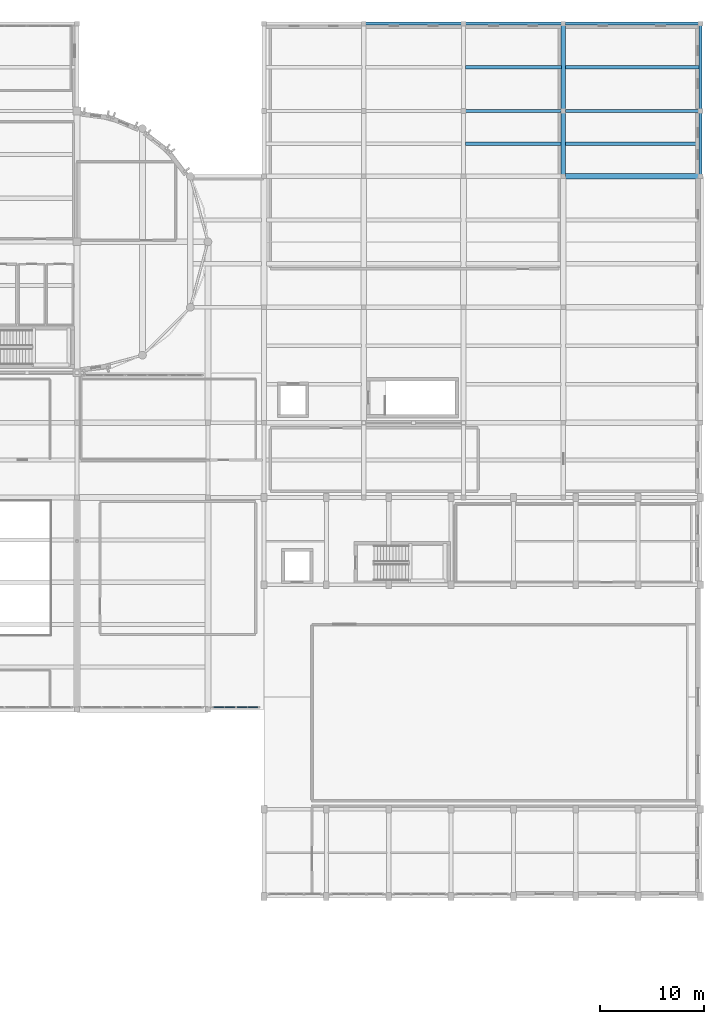
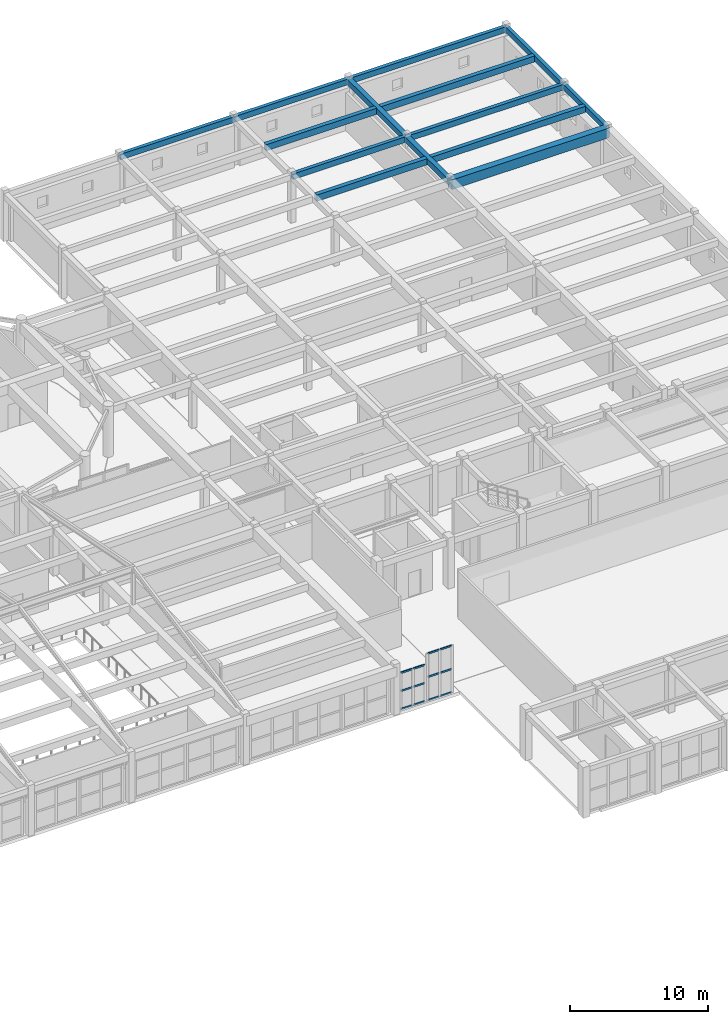
# One storey, part 55 of 91: 14 beams, 12 members, 2 elements without a shape of their own.
"""IFC4 building model written with IfcOpenShell, lengths in metres."""

from ifc_helpers import new_model, si_unit, direction, frame, origin, origin_2d, place, context, subcontext, project, spatial, rectangle, hollow_rectangle, extrude, material, layer, layer_set, material_profile, profile_set, type_object, element, aggregate, save


model = new_model("IFC4")

# Units and contexts
model_context = context("Model", 3, precision=1e-05, world=origin(), true_north=direction((0.0, 1.0)))
body_context = subcontext(model_context, "Body", "Model", "MODEL_VIEW")
ifc_project = project(units=[si_unit("LENGTHUNIT", "METRE"), si_unit("AREAUNIT", "SQUARE_METRE"), si_unit("VOLUMEUNIT", "CUBIC_METRE"), si_unit("PLANEANGLEUNIT", "RADIAN"), si_unit("MASSUNIT", "GRAM", prefix="KILO")], contexts=[model_context])

# Site, building, storey
site_placement = place(None, origin())
site = spatial("IfcSite", under=ifc_project, at=site_placement, CompositionType="ELEMENT")
building_placement = place(site_placement, origin())
building = spatial("IfcBuilding", under=site, at=building_placement, Name="Tarnavel Promenade Courthouse", CompositionType="ELEMENT")
storey_placement = place(building_placement, frame((0.0, 0.0, 9.89990234375)))
storey = spatial("IfcBuildingStorey", under=building, at=storey_placement, Name="L03", CompositionType="ELEMENT", Elevation=9.89990234375)

# Beams
ifc_material_1 = material(Name="Concrete C40/50", Category="concrete")
ifc_material_profile_1 = material_profile(ifc_material_1, rectangle(XDim=0.35009765625, YDim=0.550048828125, at=origin_2d()), Name="PT 350x550")
ifc_profile_set_1 = profile_set([ifc_material_profile_1], Name="Concrete C40/50")
beam_type_1 = type_object("IfcBeamType", Name="Concrete C40/50 BM-PT-350x550 (PT 350x550)", PredefinedType="JOIST", material=ifc_profile_set_1)
beam_1_placement = place(storey_placement, frame((139.3701171875, 108.60009765625, 3.97021484375), z_axis=(1.0, 0.0, 0.0), x_axis=(0.0, 1.0, 0.0)))
element("IfcBeam", 1, at=beam_1_placement, inside=storey, type_object=beam_type_1, Name="L03 Secondary Floor Rib 1954", PredefinedType="JOIST", context=body_context, shape_type="SweptSolid", body=[
    extrude(rectangle(XDim=0.35009765625, YDim=0.550048828125, at=origin_2d()), origin(), (0.0, 0.0, 1.0), 9.259765625),
])
beam_2_placement = place(storey_placement, frame((148.969970703125, 108.60009765625, 3.97021484375), z_axis=(1.0, 0.0, 0.0), x_axis=(0.0, 1.0, 0.0)))
element("IfcBeam", 2, at=beam_2_placement, inside=storey, type_object=beam_type_1, Name="L03 Secondary Floor Rib 1955", PredefinedType="JOIST", context=body_context, shape_type="SweptSolid", body=[
    extrude(rectangle(XDim=0.35009765625, YDim=0.550048828125, at=origin_2d()), origin(), (0.0, 0.0, 1.0), 12.909912109375),
])
beam_3_placement = place(storey_placement, frame((139.3701171875, 101.25, 3.97021484375), z_axis=(1.0, 0.0, 0.0), x_axis=(0.0, 1.0, 0.0)))
element("IfcBeam", 3, at=beam_3_placement, inside=storey, type_object=beam_type_1, Name="L03 Secondary Floor Rib 1962", PredefinedType="JOIST", context=body_context, shape_type="SweptSolid", body=[
    extrude(rectangle(XDim=0.35009765625, YDim=0.550048828125, at=origin_2d()), origin(), (0.0, 0.0, 1.0), 9.259765625),
])
beam_4_placement = place(storey_placement, frame((148.969970703125, 101.25, 3.97021484375), z_axis=(1.0, 0.0, 0.0), x_axis=(0.0, 1.0, 0.0)))
element("IfcBeam", 4, at=beam_4_placement, inside=storey, type_object=beam_type_1, Name="L03 Secondary Floor Rib 1963", PredefinedType="JOIST", context=body_context, shape_type="SweptSolid", body=[
    extrude(rectangle(XDim=0.35009765625, YDim=0.550048828125, at=origin_2d()), origin(), (0.0, 0.0, 1.0), 12.909912109375),
])
ifc_material_profile_2 = material_profile(ifc_material_1, rectangle(XDim=0.550048828125, YDim=0.85009765625, at=origin_2d()), Name="PT 550x850")
ifc_profile_set_2 = profile_set([ifc_material_profile_2], Name="Concrete C40/50")
beam_type_2 = type_object("IfcBeamType", Name="Concrete C40/50 BM-PT-550x850 (PT 550x850)", PredefinedType="T_BEAM", material=ifc_profile_set_2)
beam_5_placement = place(storey_placement, frame((148.800048828125, 98.10009765625, 3.820068359375), z_axis=(1.0, 0.0, 0.0), x_axis=(0.0, 1.0, 0.0)))
element("IfcBeam", 5, at=beam_5_placement, inside=storey, type_object=beam_type_2, Name="L03 Primary Longitudinal Beam 1661", PredefinedType="T_BEAM", context=body_context, shape_type="SweptSolid", body=[
    extrude(rectangle(XDim=0.550048828125, YDim=0.85009765625, at=origin_2d()), origin(), (0.0, 0.0, 1.0), 13.199951171875),
])
ifc_material_profile_3 = material_profile(ifc_material_1, rectangle(XDim=0.39990234375, YDim=0.5, at=origin_2d()), Name="RC 400x500")
ifc_profile_set_3 = profile_set([ifc_material_profile_3], Name="Concrete C40/50")
beam_type_3 = type_object("IfcBeamType", Name="Concrete C40/50 BM-RC-400x500 (RC 400x500)", PredefinedType="BEAM", material=ifc_profile_set_3)
beam_6_placement = place(storey_placement, frame((148.800048828125, 98.10009765625, 3.9951171875), z_axis=(0.0, 1.0, 0.0), x_axis=(-1.0, 0.0, 0.0)))
element("IfcBeam", 6, at=beam_6_placement, inside=storey, type_object=beam_type_3, Name="L03 Transverse Girder 1808", PredefinedType="BEAM", context=body_context, shape_type="SweptSolid", body=[
    extrude(rectangle(XDim=0.39990234375, YDim=0.5, at=origin_2d()), origin(), (0.0, 0.0, 1.0), 6.2998046875),
])
beam_7_placement = place(storey_placement, frame((148.800048828125, 104.39990234375, 3.9951171875), z_axis=(0.0, 1.0, 0.0), x_axis=(-1.0, 0.0, 0.0)))
element("IfcBeam", 7, at=beam_7_placement, inside=storey, type_object=beam_type_3, Name="L03 Transverse Girder 1809", PredefinedType="BEAM", context=body_context, shape_type="SweptSolid", body=[
    extrude(rectangle(XDim=0.39990234375, YDim=0.5, at=origin_2d()), origin(), (0.0, 0.0, 1.0), 8.400146484375),
])
ifc_material_profile_4 = material_profile(ifc_material_1, rectangle(XDim=0.300048828125, YDim=0.5, at=origin_2d()), Name="RC 300x500")
ifc_profile_set_4 = profile_set([ifc_material_profile_4], Name="Concrete C40/50")
beam_type_4 = type_object("IfcBeamType", Name="Concrete C40/50 BM-SP-300x500 (RC 300x500)", PredefinedType="SPANDREL", material=ifc_profile_set_4)
beam_8_placement = place(storey_placement, frame((139.199951171875, 104.39990234375, 3.9951171875), z_axis=(1.0, 0.0, 0.0), x_axis=(0.0, 1.0, 0.0)))
element("IfcBeam", 8, at=beam_8_placement, inside=storey, type_object=beam_type_4, Name="L03 Primary Longitudinal Beam 1669", PredefinedType="SPANDREL", context=body_context, shape_type="SweptSolid", body=[
    extrude(rectangle(XDim=0.300048828125, YDim=0.5, at=origin_2d()), origin(), (0.0, 0.0, 1.0), 9.60009765625),
])
beam_9_placement = place(storey_placement, frame((148.800048828125, 104.39990234375, 3.9951171875), z_axis=(1.0, 0.0, 0.0), x_axis=(0.0, 1.0, 0.0)))
element("IfcBeam", 9, at=beam_9_placement, inside=storey, type_object=beam_type_4, Name="L03 Primary Longitudinal Beam 1670", PredefinedType="SPANDREL", context=body_context, shape_type="SweptSolid", body=[
    extrude(rectangle(XDim=0.300048828125, YDim=0.5, at=origin_2d()), origin(), (0.0, 0.0, 1.0), 13.199951171875),
])
beam_10_placement = place(storey_placement, frame((129.60009765625, 112.800048828125, 3.9951171875), z_axis=(1.0, 0.0, 0.0), x_axis=(0.0, 1.0, 0.0)))
element("IfcBeam", 10, at=beam_10_placement, inside=storey, type_object=beam_type_4, Name="L03 Primary Longitudinal Beam 1683", PredefinedType="SPANDREL", context=body_context, shape_type="SweptSolid", body=[
    extrude(rectangle(XDim=0.300048828125, YDim=0.5, at=origin_2d()), origin(), (0.0, 0.0, 1.0), 9.599853515625),
])
beam_11_placement = place(storey_placement, frame((139.199951171875, 112.800048828125, 3.9951171875), z_axis=(1.0, 0.0, 0.0), x_axis=(0.0, 1.0, 0.0)))
element("IfcBeam", 11, at=beam_11_placement, inside=storey, type_object=beam_type_4, Name="L03 Primary Longitudinal Beam 1684", PredefinedType="SPANDREL", context=body_context, shape_type="SweptSolid", body=[
    extrude(rectangle(XDim=0.300048828125, YDim=0.5, at=origin_2d()), origin(), (0.0, 0.0, 1.0), 9.60009765625),
])
beam_12_placement = place(storey_placement, frame((148.800048828125, 112.800048828125, 3.9951171875), z_axis=(1.0, 0.0, 0.0), x_axis=(0.0, 1.0, 0.0)))
element("IfcBeam", 12, at=beam_12_placement, inside=storey, type_object=beam_type_4, Name="L03 Primary Longitudinal Beam 1685", PredefinedType="SPANDREL", context=body_context, shape_type="SweptSolid", body=[
    extrude(rectangle(XDim=0.300048828125, YDim=0.5, at=origin_2d()), origin(), (0.0, 0.0, 1.0), 13.199951171875),
])
beam_13_placement = place(storey_placement, frame((162.0, 98.10009765625, 3.9951171875), z_axis=(0.0, 1.0, 0.0), x_axis=(-1.0, 0.0, 0.0)))
element("IfcBeam", 13, at=beam_13_placement, inside=storey, type_object=beam_type_4, Name="L03 Transverse Girder 1819", PredefinedType="SPANDREL", context=body_context, shape_type="SweptSolid", body=[
    extrude(rectangle(XDim=0.300048828125, YDim=0.5, at=origin_2d()), origin(), (0.0, 0.0, 1.0), 6.2998046875),
])
beam_14_placement = place(storey_placement, frame((162.0, 104.39990234375, 3.9951171875), z_axis=(0.0, 1.0, 0.0), x_axis=(-1.0, 0.0, 0.0)))
element("IfcBeam", 14, at=beam_14_placement, inside=storey, type_object=beam_type_4, Name="L03 Transverse Girder 1820", PredefinedType="SPANDREL", context=body_context, shape_type="SweptSolid", body=[
    extrude(rectangle(XDim=0.300048828125, YDim=0.5, at=origin_2d()), origin(), (0.0, 0.0, 1.0), 8.400146484375),
])

# Curtain wall, members
ifc_material_2 = material(Name="Thermally Broken Anodised Aluminium Curtain Wall System", Category="aluminium")
ifc_layer = layer(ifc_material_2, 0.239990234375)
ifc_layer_set = layer_set([ifc_layer], Name="Thermally Broken Anodised Aluminium Curtain Wall System")
curtain_wall_type = type_object("IfcCurtainWallType", Name="Thermally Broken Aluminium Triple-Glazed Curtain Wall CW-WG-S", PredefinedType="NOTDEFINED", material=ifc_layer_set)
curtain_wall_1_placement = place(storey_placement, origin())
curtain_wall_1 = element("IfcCurtainWall", 15, at=curtain_wall_1_placement, inside=storey, type_object=curtain_wall_type, Name="L03 Winter-Garden South Solar Curtain Wall 100", PredefinedType="NOTDEFINED")
ifc_material_3 = material(Name="Thermally Broken Anodised Aluminium Frame", Category="aluminium")
ifc_material_profile_5 = material_profile(ifc_material_3, hollow_rectangle(XDim=0.080078125, YDim=0.159912109375, WallThickness=0.0048828125, InnerFilletRadius=0.0048828125, OuterFilletRadius=0.010009765625, at=origin_2d()), Name="CWT 160x80x5")
ifc_profile_set_5 = profile_set([ifc_material_profile_5], Name="Thermally Broken Anodised Aluminium Frame")
member_type = type_object("IfcMemberType", Name="Thermally Broken Anodised Aluminium CWT-145 (CWT 160x80x5)", PredefinedType="USERDEFINED", material=ifc_profile_set_5)
member_1_placement = place(storey_placement, frame((115.179931640625, 47.0, 0.0400390625), z_axis=(1.0, 0.0, 0.0), x_axis=(0.0, 1.0, 0.0)))
member_1 = element("IfcMember", 16, at=member_1_placement, type_object=member_type, Name="CW-02 transom 1.1", ObjectType="TRANSOM", PredefinedType="USERDEFINED", context=body_context, shape_type="SweptSolid", body=[
    extrude(hollow_rectangle(XDim=0.080078125, YDim=0.159912109375, WallThickness=0.0048828125, InnerFilletRadius=0.0048828125, OuterFilletRadius=0.010009765625, at=origin_2d()), origin(), (0.0, 0.0, 1.0), 0.949951171875),
])
member_2_placement = place(storey_placement, frame((115.179931640625, 47.0, 1.64013671875), z_axis=(1.0, 0.0, 0.0), x_axis=(0.0, 1.0, 0.0)))
member_2 = element("IfcMember", 17, at=member_2_placement, type_object=member_type, Name="CW-02 transom 1.2", ObjectType="TRANSOM", PredefinedType="USERDEFINED", context=body_context, shape_type="SweptSolid", body=[
    extrude(hollow_rectangle(XDim=0.080078125, YDim=0.159912109375, WallThickness=0.0048828125, InnerFilletRadius=0.0048828125, OuterFilletRadius=0.010009765625, at=origin_2d()), origin(), (0.0, 0.0, 1.0), 0.949951171875),
])
member_3_placement = place(storey_placement, frame((115.179931640625, 47.0, 3.239990234375), z_axis=(1.0, 0.0, 0.0), x_axis=(0.0, 1.0, 0.0)))
member_3 = element("IfcMember", 18, at=member_3_placement, type_object=member_type, Name="CW-02 transom 1.3", ObjectType="TRANSOM", PredefinedType="USERDEFINED", context=body_context, shape_type="SweptSolid", body=[
    extrude(hollow_rectangle(XDim=0.080078125, YDim=0.159912109375, WallThickness=0.0048828125, InnerFilletRadius=0.0048828125, OuterFilletRadius=0.010009765625, at=origin_2d()), origin(), (0.0, 0.0, 1.0), 0.949951171875),
])
member_4_placement = place(storey_placement, frame((116.219970703125, 47.0, 0.0400390625), z_axis=(1.0, 0.0, 0.0), x_axis=(0.0, 1.0, 0.0)))
member_4 = element("IfcMember", 19, at=member_4_placement, type_object=member_type, Name="CW-02 transom 2.1", ObjectType="TRANSOM", PredefinedType="USERDEFINED", context=body_context, shape_type="SweptSolid", body=[
    extrude(hollow_rectangle(XDim=0.080078125, YDim=0.159912109375, WallThickness=0.0048828125, InnerFilletRadius=0.0048828125, OuterFilletRadius=0.010009765625, at=origin_2d()), origin(), (0.0, 0.0, 1.0), 0.949951171875),
])
member_5_placement = place(storey_placement, frame((116.219970703125, 47.0, 1.64013671875), z_axis=(1.0, 0.0, 0.0), x_axis=(0.0, 1.0, 0.0)))
member_5 = element("IfcMember", 20, at=member_5_placement, type_object=member_type, Name="CW-02 transom 2.2", ObjectType="TRANSOM", PredefinedType="USERDEFINED", context=body_context, shape_type="SweptSolid", body=[
    extrude(hollow_rectangle(XDim=0.080078125, YDim=0.159912109375, WallThickness=0.0048828125, InnerFilletRadius=0.0048828125, OuterFilletRadius=0.010009765625, at=origin_2d()), origin(), (0.0, 0.0, 1.0), 0.949951171875),
])
member_6_placement = place(storey_placement, frame((116.219970703125, 47.0, 3.239990234375), z_axis=(1.0, 0.0, 0.0), x_axis=(0.0, 1.0, 0.0)))
member_6 = element("IfcMember", 21, at=member_6_placement, type_object=member_type, Name="CW-02 transom 2.3", ObjectType="TRANSOM", PredefinedType="USERDEFINED", context=body_context, shape_type="SweptSolid", body=[
    extrude(hollow_rectangle(XDim=0.080078125, YDim=0.159912109375, WallThickness=0.0048828125, InnerFilletRadius=0.0048828125, OuterFilletRadius=0.010009765625, at=origin_2d()), origin(), (0.0, 0.0, 1.0), 0.949951171875),
])
aggregate(curtain_wall_1, [member_1, member_2, member_3, member_4, member_5, member_6])

curtain_wall_2_placement = place(storey_placement, origin())
curtain_wall_2 = element("IfcCurtainWall", 22, at=curtain_wall_2_placement, inside=storey, type_object=curtain_wall_type, Name="L03 Winter-Garden South Solar Curtain Wall 101", PredefinedType="NOTDEFINED")
member_7_placement = place(storey_placement, frame((117.429931640625, 47.0, 0.0400390625), z_axis=(1.0, 0.0, 0.0), x_axis=(0.0, 1.0, 0.0)))
member_7 = element("IfcMember", 23, at=member_7_placement, type_object=member_type, Name="CW-02 transom 1.1", ObjectType="TRANSOM", PredefinedType="USERDEFINED", context=body_context, shape_type="SweptSolid", body=[
    extrude(hollow_rectangle(XDim=0.080078125, YDim=0.159912109375, WallThickness=0.0048828125, InnerFilletRadius=0.0048828125, OuterFilletRadius=0.010009765625, at=origin_2d()), origin(), (0.0, 0.0, 1.0), 0.949951171875),
])
member_8_placement = place(storey_placement, frame((117.429931640625, 47.0, 2.09765625), z_axis=(1.0, 0.0, 0.0), x_axis=(0.0, 1.0, 0.0)))
member_8 = element("IfcMember", 24, at=member_8_placement, type_object=member_type, Name="CW-02 transom 1.2", ObjectType="TRANSOM", PredefinedType="USERDEFINED", context=body_context, shape_type="SweptSolid", body=[
    extrude(hollow_rectangle(XDim=0.080078125, YDim=0.159912109375, WallThickness=0.0048828125, InnerFilletRadius=0.0048828125, OuterFilletRadius=0.010009765625, at=origin_2d()), origin(), (0.0, 0.0, 1.0), 0.949951171875),
])
member_9_placement = place(storey_placement, frame((117.429931640625, 47.0, 4.155029296875), z_axis=(1.0, 0.0, 0.0), x_axis=(0.0, 1.0, 0.0)))
member_9 = element("IfcMember", 25, at=member_9_placement, type_object=member_type, Name="CW-02 transom 1.3", ObjectType="TRANSOM", PredefinedType="USERDEFINED", context=body_context, shape_type="SweptSolid", body=[
    extrude(hollow_rectangle(XDim=0.080078125, YDim=0.159912109375, WallThickness=0.0048828125, InnerFilletRadius=0.0048828125, OuterFilletRadius=0.010009765625, at=origin_2d()), origin(), (0.0, 0.0, 1.0), 0.949951171875),
])
member_10_placement = place(storey_placement, frame((118.469970703125, 47.0, 0.0400390625), z_axis=(1.0, 0.0, 0.0), x_axis=(0.0, 1.0, 0.0)))
member_10 = element("IfcMember", 26, at=member_10_placement, type_object=member_type, Name="CW-02 transom 2.1", ObjectType="TRANSOM", PredefinedType="USERDEFINED", context=body_context, shape_type="SweptSolid", body=[
    extrude(hollow_rectangle(XDim=0.080078125, YDim=0.159912109375, WallThickness=0.0048828125, InnerFilletRadius=0.0048828125, OuterFilletRadius=0.010009765625, at=origin_2d()), origin(), (0.0, 0.0, 1.0), 0.949951171875),
])
member_11_placement = place(storey_placement, frame((118.469970703125, 47.0, 2.09765625), z_axis=(1.0, 0.0, 0.0), x_axis=(0.0, 1.0, 0.0)))
member_11 = element("IfcMember", 27, at=member_11_placement, type_object=member_type, Name="CW-02 transom 2.2", ObjectType="TRANSOM", PredefinedType="USERDEFINED", context=body_context, shape_type="SweptSolid", body=[
    extrude(hollow_rectangle(XDim=0.080078125, YDim=0.159912109375, WallThickness=0.0048828125, InnerFilletRadius=0.0048828125, OuterFilletRadius=0.010009765625, at=origin_2d()), origin(), (0.0, 0.0, 1.0), 0.949951171875),
])
member_12_placement = place(storey_placement, frame((118.469970703125, 47.0, 4.155029296875), z_axis=(1.0, 0.0, 0.0), x_axis=(0.0, 1.0, 0.0)))
member_12 = element("IfcMember", 28, at=member_12_placement, type_object=member_type, Name="CW-02 transom 2.3", ObjectType="TRANSOM", PredefinedType="USERDEFINED", context=body_context, shape_type="SweptSolid", body=[
    extrude(hollow_rectangle(XDim=0.080078125, YDim=0.159912109375, WallThickness=0.0048828125, InnerFilletRadius=0.0048828125, OuterFilletRadius=0.010009765625, at=origin_2d()), origin(), (0.0, 0.0, 1.0), 0.949951171875),
])
aggregate(curtain_wall_2, [member_7, member_8, member_9, member_10, member_11, member_12])

save(model, "model.ifc")
